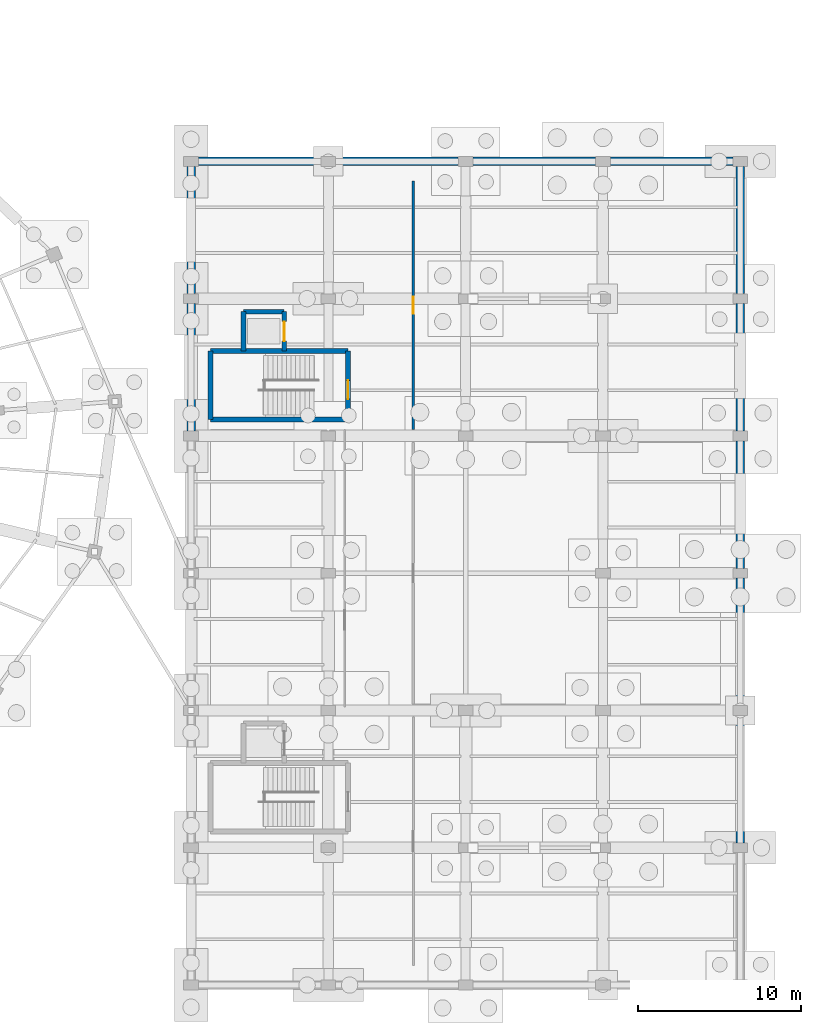
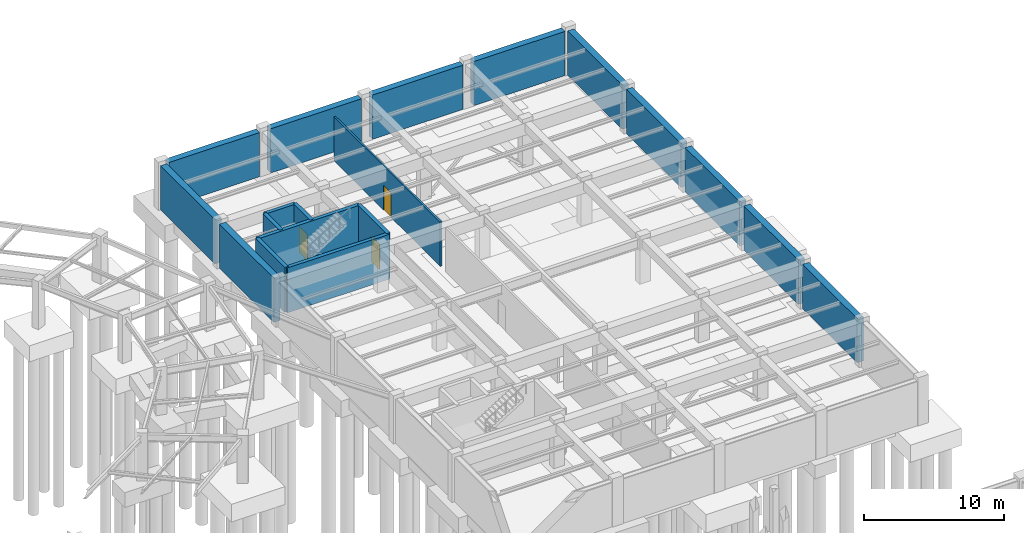
# One storey, part 30 of 38: 19 walls, 3 doors, 3 openings.
"""IFC4 building model written with IfcOpenShell, lengths in metres."""

from ifc_helpers import new_model, si_unit, direction, frame, frame_2d, origin, place, context, subcontext, project, spatial, rectangle, extrude, material, layer, layer_set, type_object, element, fill, save


model = new_model("IFC4")

# Units and contexts
model_context = context("Model", 3, precision=1e-05, world=origin(), true_north=direction((0.0, 1.0)))
body_context = subcontext(model_context, "Body", "Model", "MODEL_VIEW")
ifc_project = project(units=[si_unit("LENGTHUNIT", "METRE"), si_unit("AREAUNIT", "SQUARE_METRE"), si_unit("VOLUMEUNIT", "CUBIC_METRE"), si_unit("PLANEANGLEUNIT", "RADIAN"), si_unit("MASSUNIT", "GRAM", prefix="KILO"), si_unit("THERMODYNAMICTEMPERATUREUNIT", "KELVIN"), si_unit("POWERUNIT", "WATT")], contexts=[model_context])

# Site, building, storey
site_placement = place(None, origin())
site = spatial("IfcSite", under=ifc_project, at=site_placement, CompositionType="ELEMENT")
building_placement = place(site_placement, origin())
building = spatial("IfcBuilding", under=site, at=building_placement, Name="Darbajah Civic Hall", CompositionType="ELEMENT")
storey_placement = place(building_placement, frame((0.0, 0.0, -4.199951171875)))
storey = spatial("IfcBuildingStorey", under=building, at=storey_placement, Name="B01", CompositionType="ELEMENT", Elevation=-4.199951171875)

# Walls
ifc_material_1 = material(Name="Concrete C45/55", Category="concrete")
ifc_layer_1 = layer(ifc_material_1, 0.52001953125, Name="Concrete C45/55")
ifc_layer_set_1 = layer_set([ifc_layer_1], Name="Concrete C45/55")
wall_type_1 = type_object("IfcWallType", Name="Basement Perimeter Wall 520mm", PredefinedType="SOLIDWALL", material=ifc_layer_set_1)
wall_1_placement = place(storey_placement, frame((178.199951171875, 65.10205078125, 0.0), z_axis=(0.0, 0.0, 1.0), x_axis=(0.0, 1.0, 0.0)))
element("IfcWall", 1, at=wall_1_placement, inside=storey, type_object=wall_type_1, Name="B01 exterior wall RW-520", PredefinedType="SOLIDWALL", context=body_context, shape_type="SweptSolid", body=[
    extrude(rectangle(XDim=7.7958984375, YDim=0.52001953125, at=frame_2d((3.89794921875, 0.0))), origin(), (0.0, 0.0, 1.0), 3.85986328125),
])
wall_2_placement = place(storey_placement, frame((178.199951171875, 73.501953125, 0.0), z_axis=(0.0, 0.0, 1.0), x_axis=(0.0, 1.0, 0.0)))
element("IfcWall", 2, at=wall_2_placement, inside=storey, type_object=wall_type_1, Name="B01 exterior wall RW-520", PredefinedType="SOLIDWALL", context=body_context, shape_type="SweptSolid", body=[
    extrude(rectangle(XDim=7.796142578125, YDim=0.52001953125, at=frame_2d((3.89794921875, 0.0))), origin(), (0.0, 0.0, 1.0), 3.85986328125),
])
for number, where, z_axis, x_axis, name in (
    (3, (178.199951171875, 81.902099609375, 0.0), (0.0, 0.0, 1.0), (0.0, 1.0, 0.0), "B01 exterior wall RW-520"),
    (4, (178.199951171875, 90.302001953125, 0.0), (0.0, 0.0, 1.0), (0.0, 1.0, 0.0), "B01 exterior wall RW-520"),
):
    element("IfcWall", number, at=place(storey_placement, frame(where, z_axis=z_axis, x_axis=x_axis)), inside=storey, type_object=wall_type_1, Name=name, PredefinedType="SOLIDWALL", context=body_context, shape_type="SweptSolid", body=[
        extrude(rectangle(XDim=7.7958984375, YDim=0.52001953125, at=frame_2d((3.89794921875, 0.0))), origin(), (0.0, 0.0, 1.0), 3.85986328125),
    ])
wall_3_placement = place(storey_placement, frame((178.199951171875, 98.701904296875, 0.0), z_axis=(0.0, 0.0, 1.0), x_axis=(0.0, 1.0, 0.0)))
element("IfcWall", 5, at=wall_3_placement, inside=storey, type_object=wall_type_1, Name="B01 exterior wall RW-520", PredefinedType="SOLIDWALL", context=body_context, shape_type="SweptSolid", body=[
    extrude(rectangle(XDim=7.796142578125, YDim=0.52001953125, at=frame_2d((3.89794921875, 0.0))), origin(), (0.0, 0.0, 1.0), 3.85986328125),
])
wall_4_placement = place(storey_placement, frame((177.748046875, 106.800048828125, 0.0), z_axis=(0.0, 0.0, 1.0), x_axis=(-1.0, 0.0, 0.0)))
element("IfcWall", 6, at=wall_4_placement, inside=storey, type_object=wall_type_1, Name="B01 exterior wall RW-520", PredefinedType="SOLIDWALL", context=body_context, shape_type="SweptSolid", body=[
    extrude(rectangle(XDim=7.49609375, YDim=0.52001953125, at=frame_2d((3.748046875, 0.0))), origin(), (0.0, 0.0, 1.0), 3.85986328125),
])
wall_5_placement = place(storey_placement, frame((169.347900390625, 106.800048828125, 0.0), z_axis=(0.0, 0.0, 1.0), x_axis=(-1.0, 0.0, 0.0)))
element("IfcWall", 7, at=wall_5_placement, inside=storey, type_object=wall_type_1, Name="B01 exterior wall RW-520", PredefinedType="SOLIDWALL", context=body_context, shape_type="SweptSolid", body=[
    extrude(rectangle(XDim=7.495849609375, YDim=0.52001953125, at=frame_2d((3.748046875, 0.0))), origin(), (0.0, 0.0, 1.0), 3.85986328125),
])
for number, where, z_axis, x_axis, name in (
    (8, (160.947998046875, 106.800048828125, 0.0), (0.0, 0.0, 1.0), (-1.0, 0.0, 0.0), "B01 exterior wall RW-520"),
    (9, (152.548095703125, 106.800048828125, 0.0), (0.0, 0.0, 1.0), (-1.0, 0.0, 0.0), "B01 exterior wall RW-520"),
):
    element("IfcWall", number, at=place(storey_placement, frame(where, z_axis=z_axis, x_axis=x_axis)), inside=storey, type_object=wall_type_1, Name=name, PredefinedType="SOLIDWALL", context=body_context, shape_type="SweptSolid", body=[
        extrude(rectangle(XDim=7.49609375, YDim=0.52001953125, at=frame_2d((3.748046875, 0.0))), origin(), (0.0, 0.0, 1.0), 3.85986328125),
    ])
wall_6_placement = place(storey_placement, frame((144.60009765625, 106.498046875, 0.0), z_axis=(0.0, 0.0, 1.0), x_axis=(0.0, -1.0, 0.0)))
element("IfcWall", 10, at=wall_6_placement, inside=storey, type_object=wall_type_1, Name="B01 exterior wall RW-520", PredefinedType="SOLIDWALL", context=body_context, shape_type="SweptSolid", body=[
    extrude(rectangle(XDim=7.796142578125, YDim=0.52001953125, at=frame_2d((3.89794921875, 0.0))), origin(), (0.0, 0.0, 1.0), 3.85986328125),
])
wall_7_placement = place(storey_placement, frame((144.60009765625, 98.097900390625, 0.0), z_axis=(0.0, 0.0, 1.0), x_axis=(0.0, -1.0, 0.0)))
element("IfcWall", 11, at=wall_7_placement, inside=storey, type_object=wall_type_1, Name="B01 exterior wall RW-520", PredefinedType="SOLIDWALL", context=body_context, shape_type="SweptSolid", body=[
    extrude(rectangle(XDim=7.7958984375, YDim=0.52001953125, at=frame_2d((3.89794921875, 0.0))), origin(), (0.0, 0.0, 1.0), 3.85986328125),
])
ifc_layer_2 = layer(ifc_material_1, 0.300048828125, Name="Concrete C45/55")
ifc_layer_set_2 = layer_set([ifc_layer_2], Name="Concrete C45/55")
wall_type_2 = type_object("IfcWallType", Name="Core Shear Wall 300mm", PredefinedType="SHEAR", material=ifc_layer_set_2)
wall_8_placement = place(storey_placement, frame((145.800048828125, 91.0, 0.0), z_axis=(0.0, 0.0, 1.0), x_axis=(1.0, 0.0, 0.0)))
element("IfcWall", 12, at=wall_8_placement, inside=storey, type_object=wall_type_2, Name="B01 core C08 shear wall S", PredefinedType="SHEAR", context=body_context, shape_type="SweptSolid", body=[
    extrude(rectangle(XDim=8.39990234375, YDim=0.300048828125, at=frame_2d((4.199951171875, 0.0))), origin(), (0.0, 0.0, 1.0), 3.919921875),
])

# Wall, opening, door
wall_9_placement = place(storey_placement, frame((154.199951171875, 91.0, 0.0), z_axis=(0.0, 0.0, 1.0), x_axis=(0.0, 1.0, 0.0)))
wall_9 = element("IfcWall", 13, at=wall_9_placement, inside=storey, type_object=wall_type_2, Name="B01 core C08 shear wall E", PredefinedType="SHEAR", context=body_context, shape_type="SweptSolid", body=[
    extrude(rectangle(XDim=4.199951171875, YDim=0.300048828125, at=frame_2d((2.10009765625, 0.0))), origin(), (0.0, 0.0, 1.0), 3.919921875),
])
opening_1_placement = place(wall_9_placement, frame((1.25, 0.0, 0.0)))
opening_1 = element("IfcOpeningElement", 14, at=opening_1_placement, cuts=wall_9, Name="Opening SD-0088", PredefinedType="OPENING", context=body_context, shape_type="SweptSolid", body=[
    extrude(rectangle(XDim=1.14990234375, YDim=2.199951171875, at=frame_2d((0.574951171875, 1.10009765625))), frame((0.0, 0.159912109375, 0.0), z_axis=(0.0, -1.0, 0.0), x_axis=(1.0, 0.0, 0.0)), (0.0, 0.0, 1.0), 0.320068359375),
])
ifc_material_2 = material(Name="Steel Rated Core Door", Category="steel")
door_type_1 = type_object("IfcDoorType", Name="Interior Door 1150x2200", OperationType="NOTDEFINED", PredefinedType="DOOR", material=ifc_material_2)
door_1_placement = place(opening_1_placement, origin())
door_1 = element("IfcDoor", 15, at=door_1_placement, inside=storey, type_object=door_type_1, Name="B01 stair ST08 fire door SD-0088", OperationType="SINGLE_SWING_LEFT", OverallHeight=2.199951171875, OverallWidth=1.14990234375, PredefinedType="DOOR", context=body_context, shape_type="SweptSolid", body=[
    extrude(rectangle(XDim=1.14990234375, YDim=2.199951171875, at=frame_2d((0.574951171875, 1.10009765625))), frame((0.0, 0.02490234375, 0.0), z_axis=(0.0, -1.0, 0.0), x_axis=(1.0, 0.0, 0.0)), (0.0, 0.0, 1.0), 0.050048828125),
])
fill(opening_1, door_1)

# Walls
wall_10_placement = place(storey_placement, frame((154.199951171875, 95.199951171875, 0.0), z_axis=(0.0, 0.0, 1.0), x_axis=(-1.0, 0.0, 0.0)))
element("IfcWall", 16, at=wall_10_placement, inside=storey, type_object=wall_type_2, Name="B01 core C08 shear wall N", PredefinedType="SHEAR", context=body_context, shape_type="SweptSolid", body=[
    extrude(rectangle(XDim=8.39990234375, YDim=0.300048828125, at=frame_2d((4.199951171875, 0.0))), origin(), (0.0, 0.0, 1.0), 3.919921875),
])
wall_11_placement = place(storey_placement, frame((145.800048828125, 95.199951171875, 0.0), z_axis=(0.0, 0.0, 1.0), x_axis=(0.0, -1.0, 0.0)))
element("IfcWall", 17, at=wall_11_placement, inside=storey, type_object=wall_type_2, Name="B01 core C08 shear wall W", PredefinedType="SHEAR", context=body_context, shape_type="SweptSolid", body=[
    extrude(rectangle(XDim=4.199951171875, YDim=0.300048828125, at=frame_2d((2.10009765625, 0.0))), origin(), (0.0, 0.0, 1.0), 3.919921875),
])
wall_12_placement = place(storey_placement, frame((150.300048828125, 97.60009765625, 0.0), z_axis=(0.0, 0.0, 1.0), x_axis=(-1.0, 0.0, 0.0)))
element("IfcWall", 18, at=wall_12_placement, inside=storey, type_object=wall_type_2, Name="B01 lift PL4 shaft wall N", PredefinedType="SHEAR", context=body_context, shape_type="SweptSolid", body=[
    extrude(rectangle(XDim=2.5, YDim=0.300048828125, at=frame_2d((1.25, 0.0))), origin(), (0.0, 0.0, 1.0), 3.919921875),
])
wall_13_placement = place(storey_placement, frame((147.800048828125, 97.60009765625, 0.0), z_axis=(0.0, 0.0, 1.0), x_axis=(0.0, -1.0, 0.0)))
element("IfcWall", 19, at=wall_13_placement, inside=storey, type_object=wall_type_2, Name="B01 lift PL4 shaft wall W", PredefinedType="SHEAR", context=body_context, shape_type="SweptSolid", body=[
    extrude(rectangle(XDim=2.400146484375, YDim=0.300048828125, at=frame_2d((1.2001953125, 0.0))), origin(), (0.0, 0.0, 1.0), 3.919921875),
])

# Wall, opening, door
wall_14_placement = place(storey_placement, frame((150.300048828125, 95.199951171875, 0.0), z_axis=(0.0, 0.0, 1.0), x_axis=(0.0, 1.0, 0.0)))
wall_14 = element("IfcWall", 20, at=wall_14_placement, inside=storey, type_object=wall_type_2, Name="B01 lift PL4 shaft wall E", PredefinedType="SHEAR", context=body_context, shape_type="SweptSolid", body=[
    extrude(rectangle(XDim=2.400146484375, YDim=0.300048828125, at=frame_2d((1.2001953125, 0.0))), origin(), (0.0, 0.0, 1.0), 3.919921875),
])
opening_2_placement = place(wall_14_placement, frame((0.60009765625, 0.0, 0.0)))
opening_2 = element("IfcOpeningElement", 21, at=opening_2_placement, cuts=wall_14, Name="Opening LD-0093", PredefinedType="OPENING", context=body_context, shape_type="SweptSolid", body=[
    extrude(rectangle(XDim=1.199951171875, YDim=2.25, at=frame_2d((0.60009765625, 1.125))), frame((0.0, 0.159912109375, 0.0), z_axis=(0.0, -1.0, 0.0), x_axis=(1.0, 0.0, 0.0)), (0.0, 0.0, 1.0), 0.320068359375),
])
ifc_material_3 = material(Name="Stainless Lift Landing Door")
door_type_2 = type_object("IfcDoorType", Name="Lift Landing Door 1200x2250", OperationType="SLIDING_TO_LEFT", PredefinedType="DOOR", material=ifc_material_3)
door_2_placement = place(opening_2_placement, origin())
door_2 = element("IfcDoor", 22, at=door_2_placement, inside=storey, type_object=door_type_2, Name="B01 lift PL4 landing door LD-0093", OperationType="SLIDING_TO_LEFT", OverallHeight=2.25, OverallWidth=1.199951171875, PredefinedType="DOOR", context=body_context, shape_type="SweptSolid", body=[
    extrude(rectangle(XDim=1.199951171875, YDim=2.25, at=frame_2d((0.60009765625, 1.125))), frame((0.0, 0.02490234375, 0.0), z_axis=(0.0, -1.0, 0.0), x_axis=(1.0, 0.0, 0.0)), (0.0, 0.0, 1.0), 0.050048828125),
])
fill(opening_2, door_2)

ifc_material_4 = material(Name="Gypsum Plasterboard on Steel Stud", Category="steel")
ifc_layer_3 = layer(ifc_material_4, 0.135009765625, Name="Gypsum Plasterboard on Steel Stud")
ifc_layer_set_3 = layer_set([ifc_layer_3], Name="Gypsum Plasterboard on Steel Stud")
wall_type_3 = type_object("IfcWallType", Name="Interior Partition 135mm", PredefinedType="PARTITIONING", material=ifc_layer_set_3)
wall_15_placement = place(storey_placement, frame((158.199951171875, 90.39990234375, 0.0), z_axis=(0.0, 0.0, 1.0), x_axis=(0.0, 1.0, 0.0)))
wall_15 = element("IfcWall", 23, at=wall_15_placement, inside=storey, type_object=wall_type_3, Name="B01 interior partition B01-10", PredefinedType="PARTITIONING", context=body_context, shape_type="SweptSolid", body=[
    extrude(rectangle(XDim=15.2001953125, YDim=0.135009765625, at=frame_2d((7.60009765625, 0.0))), origin(), (0.0, 0.0, 1.0), 3.85986328125),
])
opening_3_placement = place(wall_15_placement, frame((7.074951171875, 0.0, 0.0)))
opening_3 = element("IfcOpeningElement", 24, at=opening_3_placement, cuts=wall_15, Name="Opening D-0144", PredefinedType="OPENING", context=body_context, shape_type="SweptSolid", body=[
    extrude(rectangle(XDim=1.050048828125, YDim=2.14990234375, at=frame_2d((0.52490234375, 1.074951171875))), frame((0.0, 0.077392578125, 0.0), z_axis=(0.0, -1.0, 0.0), x_axis=(1.0, 0.0, 0.0)), (0.0, 0.0, 1.0), 0.155029296875),
])
ifc_material_5 = material(Name="Acoustic Oak Office Door")
door_type_3 = type_object("IfcDoorType", Name="Interior Door 1050x2150", OperationType="NOTDEFINED", PredefinedType="DOOR", material=ifc_material_5)
door_3_placement = place(opening_3_placement, origin())
door_3 = element("IfcDoor", 25, at=door_3_placement, inside=storey, type_object=door_type_3, Name="B01 B01-10 door D-0144", OperationType="SINGLE_SWING_LEFT", OverallHeight=2.14990234375, OverallWidth=1.050048828125, PredefinedType="DOOR", context=body_context, shape_type="SweptSolid", body=[
    extrude(rectangle(XDim=1.050048828125, YDim=2.14990234375, at=frame_2d((0.52490234375, 1.074951171875))), frame((0.0, 0.02490234375, 0.0), z_axis=(0.0, -1.0, 0.0), x_axis=(1.0, 0.0, 0.0)), (0.0, 0.0, 1.0), 0.050048828125),
])
fill(opening_3, door_3)

save(model, "model.ifc")
